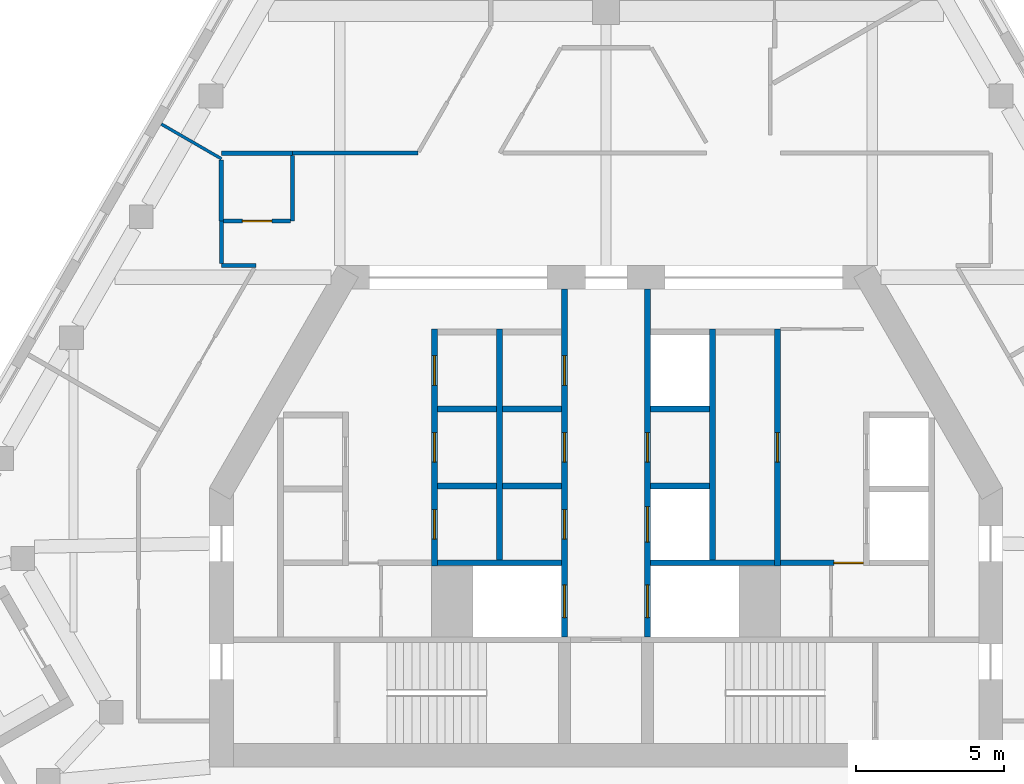
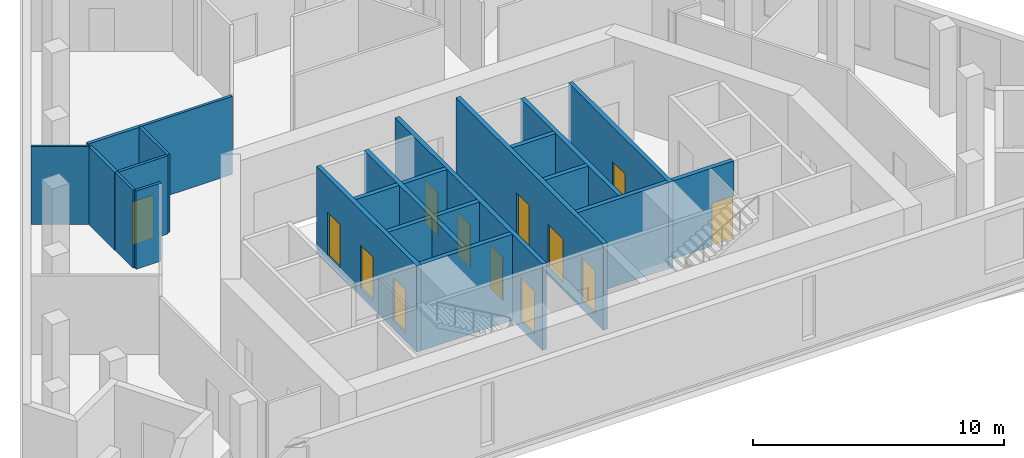
# One storey, part 3 of 8: 23 walls, 13 doors, 13 openings.
"""IFC4 building model written with IfcOpenShell, lengths in metres."""

from ifc_helpers import new_model, si_unit, direction, frame, frame_2d, origin, place, context, subcontext, project, spatial, rectangle, extrude, material, layer, layer_set, type_object, element, fill, save


model = new_model("IFC4")

# Units and contexts
model_context = context("Model", 3, precision=1e-05, world=origin(), true_north=direction((0.0, 1.0)))
body_context = subcontext(model_context, "Body", "Model", "MODEL_VIEW")
ifc_project = project(units=[si_unit("LENGTHUNIT", "METRE"), si_unit("AREAUNIT", "SQUARE_METRE"), si_unit("VOLUMEUNIT", "CUBIC_METRE"), si_unit("PLANEANGLEUNIT", "RADIAN"), si_unit("MASSUNIT", "GRAM", prefix="KILO")], contexts=[model_context])

# Site, building, storey
site_placement = place(None, origin())
site = spatial("IfcSite", under=ifc_project, at=site_placement, CompositionType="ELEMENT")
building_placement = place(site_placement, origin())
building = spatial("IfcBuilding", under=site, at=building_placement, Name="Fogline Exchange Tower", CompositionType="ELEMENT")
storey_placement = place(building_placement, frame((0.0, 0.0, 326.699951171875)))
storey = spatial("IfcBuildingStorey", under=building, at=storey_placement, Name="L74", CompositionType="ELEMENT", Elevation=326.699951171875)

# Walls
ifc_material_1 = material(Name="Concrete C40", Category="concrete")
ifc_layer_1 = layer(ifc_material_1, 0.199951171875)
ifc_layer_set_1 = layer_set([ifc_layer_1], Name="CW20")
wall_type_1 = type_object("IfcWallType", Name="CW20", PredefinedType="SOLIDWALL", material=ifc_layer_set_1)
for number, where, z_axis, x_axis, name in (
    (1, (-5.699951171875, 10.949951171875, 0.0), (0.0, 0.0, 1.0), (1.0, 0.0, 0.0), "Service room wall"),
    (2, (-5.699951171875, 13.550048828125, 0.0), (0.0, 0.0, 1.0), (1.0, 0.0, 0.0), "Service room wall"),
    (3, (-3.5, 10.949951171875, 0.0), (0.0, 0.0, 1.0), (1.0, 0.0, 0.0), "Service room wall"),
    (4, (-3.5, 13.550048828125, 0.0), (0.0, 0.0, 1.0), (1.0, 0.0, 0.0), "Service room wall"),
):
    element("IfcWall", number, at=place(storey_placement, frame(where, z_axis=z_axis, x_axis=x_axis)), inside=storey, type_object=wall_type_1, Name=name, PredefinedType="SOLIDWALL", context=body_context, shape_type="SweptSolid", body=[
        extrude(rectangle(XDim=2.0, YDim=0.199951171875, at=frame_2d((1.0, 0.0))), origin(), (0.0, 0.0, 1.0), 3.800048828125),
    ])

# Wall, opening, door
wall_1_placement = place(storey_placement, frame((5.89990234375, 8.35009765625, 0.0), z_axis=(0.0, 0.0, 1.0), x_axis=(1.0, 0.0, 0.0)))
wall_1 = element("IfcWall", 5, at=wall_1_placement, inside=storey, type_object=wall_type_1, Name="WC wall", PredefinedType="SOLIDWALL", context=body_context, shape_type="SweptSolid", body=[
    extrude(rectangle(XDim=2.800048828125, YDim=0.199951171875, at=frame_2d((1.39990234375, 0.0))), origin(), (0.0, 0.0, 1.0), 3.800048828125),
])
opening_1_placement = place(wall_1_placement, frame((1.800048828125, 0.0, 0.0)))
opening_1 = element("IfcOpeningElement", 6, at=opening_1_placement, cuts=wall_1, Name="Opening T23-C018", PredefinedType="OPENING", context=body_context, shape_type="SweptSolid", body=[
    extrude(rectangle(XDim=1.0, YDim=2.10009765625, at=frame_2d((0.5, 1.050048828125))), frame((0.0, 0.10986328125, 0.0), z_axis=(0.0, -1.0, 0.0), x_axis=(1.0, 0.0, 0.0)), (0.0, 0.0, 1.0), 0.219970703125),
])
ifc_material_2 = material(Name="Steel and timber fire door", Category="steel")
door_type_1 = type_object("IfcDoorType", Name="D-WC1", OperationType="SINGLE_SWING_LEFT", PredefinedType="DOOR", material=ifc_material_2)
door_1_placement = place(opening_1_placement, frame((1.0, 0.0, 0.0), z_axis=(0.0, 0.0, 1.0), x_axis=(-1.0, 0.0, 0.0)))
door_1 = element("IfcDoor", 7, at=door_1_placement, inside=storey, type_object=door_type_1, Name="Door to Women's WC", OperationType="SINGLE_SWING_LEFT", OverallHeight=2.10009765625, OverallWidth=1.0, PredefinedType="DOOR", context=body_context, shape_type="SweptSolid", body=[
    extrude(rectangle(XDim=1.0, YDim=2.10009765625, at=frame_2d((0.5, 1.050048828125))), frame((0.0, 0.02490234375, 0.0), z_axis=(0.0, -1.0, 0.0), x_axis=(1.0, 0.0, 0.0)), (0.0, 0.0, 1.0), 0.050048828125),
])
fill(opening_1, door_1)

# Wall, openings, doors
ifc_layer_2 = layer(ifc_material_1, 0.199951171875)
ifc_layer_set_2 = layer_set([ifc_layer_2], Name="CW20S")
wall_type_2 = type_object("IfcWallType", Name="CW20S", PredefinedType="SOLIDWALL", material=ifc_layer_set_2)
wall_2_placement = place(storey_placement, frame((-5.800048828125, 8.25, -0.39990234375), z_axis=(0.0, 0.0, 1.0), x_axis=(0.0, 1.0, 0.0)))
wall_2 = element("IfcWall", 8, at=wall_2_placement, inside=storey, type_object=wall_type_2, Name="Lift shaft wall", PredefinedType="SOLIDWALL", context=body_context, shape_type="SweptSolid", body=[
    extrude(rectangle(XDim=8.0, YDim=0.199951171875, at=frame_2d((4.0, 0.0))), origin(), (0.0, 0.0, 1.0), 4.199951171875),
])
opening_2_placement = place(wall_2_placement, frame((0.89990234375, 0.0, 0.39990234375)))
opening_2 = element("IfcOpeningElement", 9, at=opening_2_placement, cuts=wall_2, Name="Opening T23-C003", PredefinedType="OPENING", context=body_context, shape_type="SweptSolid", body=[
    extrude(rectangle(XDim=1.0, YDim=2.10009765625, at=frame_2d((0.5, 1.050048828125))), frame((0.0, 0.10986328125, 0.0), z_axis=(0.0, -1.0, 0.0), x_axis=(1.0, 0.0, 0.0)), (0.0, 0.0, 1.0), 0.219970703125),
])
opening_3_placement = place(wall_2_placement, frame((3.5, 0.0, 0.39990234375)))
opening_3 = element("IfcOpeningElement", 10, at=opening_3_placement, cuts=wall_2, Name="Opening T23-C004", PredefinedType="OPENING", context=body_context, shape_type="SweptSolid", body=[
    extrude(rectangle(XDim=1.0, YDim=2.10009765625, at=frame_2d((0.5, 1.050048828125))), frame((0.0, 0.10986328125, 0.0), z_axis=(0.0, -1.0, 0.0), x_axis=(1.0, 0.0, 0.0)), (0.0, 0.0, 1.0), 0.219970703125),
])
opening_4_placement = place(wall_2_placement, frame((6.10009765625, 0.0, 0.39990234375)))
opening_4 = element("IfcOpeningElement", 11, at=opening_4_placement, cuts=wall_2, Name="Opening T23-C005", PredefinedType="OPENING", context=body_context, shape_type="SweptSolid", body=[
    extrude(rectangle(XDim=1.0, YDim=2.10009765625, at=frame_2d((0.5, 1.050048828125))), frame((0.0, 0.10986328125, 0.0), z_axis=(0.0, -1.0, 0.0), x_axis=(1.0, 0.0, 0.0)), (0.0, 0.0, 1.0), 0.219970703125),
])
door_type_2 = type_object("IfcDoorType", Name="D-RM1", OperationType="SINGLE_SWING_LEFT", PredefinedType="DOOR", material=ifc_material_2)
door_2_placement = place(opening_2_placement, frame((1.0, 0.0, 0.0), z_axis=(0.0, 0.0, 1.0), x_axis=(-1.0, 0.0, 0.0)))
door_2 = element("IfcDoor", 12, at=door_2_placement, inside=storey, type_object=door_type_2, Name="Door to Cable Store", OperationType="SINGLE_SWING_LEFT", OverallHeight=2.10009765625, OverallWidth=1.0, PredefinedType="DOOR", context=body_context, shape_type="SweptSolid", body=[
    extrude(rectangle(XDim=1.0, YDim=2.10009765625, at=frame_2d((0.5, 1.050048828125))), frame((0.0, 0.02490234375, 0.0), z_axis=(0.0, -1.0, 0.0), x_axis=(1.0, 0.0, 0.0)), (0.0, 0.0, 1.0), 0.050048828125),
])
fill(opening_2, door_2)
door_3_placement = place(opening_3_placement, frame((1.0, 0.0, 0.0), z_axis=(0.0, 0.0, 1.0), x_axis=(-1.0, 0.0, 0.0)))
door_3 = element("IfcDoor", 13, at=door_3_placement, inside=storey, type_object=door_type_2, Name="Door to Server Room", OperationType="SINGLE_SWING_RIGHT", OverallHeight=2.10009765625, OverallWidth=1.0, PredefinedType="DOOR", context=body_context, shape_type="SweptSolid", body=[
    extrude(rectangle(XDim=1.0, YDim=2.10009765625, at=frame_2d((0.5, 1.050048828125))), frame((0.0, 0.02490234375, 0.0), z_axis=(0.0, -1.0, 0.0), x_axis=(1.0, 0.0, 0.0)), (0.0, 0.0, 1.0), 0.050048828125),
])
fill(opening_3, door_3)
door_4_placement = place(opening_4_placement, frame((1.0, 0.0, 0.0), z_axis=(0.0, 0.0, 1.0), x_axis=(-1.0, 0.0, 0.0)))
door_4 = element("IfcDoor", 14, at=door_4_placement, inside=storey, type_object=door_type_2, Name="Door to Archive Store", OperationType="SINGLE_SWING_RIGHT", OverallHeight=2.10009765625, OverallWidth=1.0, PredefinedType="DOOR", context=body_context, shape_type="SweptSolid", body=[
    extrude(rectangle(XDim=1.0, YDim=2.10009765625, at=frame_2d((0.5, 1.050048828125))), frame((0.0, 0.02490234375, 0.0), z_axis=(0.0, -1.0, 0.0), x_axis=(1.0, 0.0, 0.0)), (0.0, 0.0, 1.0), 0.050048828125),
])
fill(opening_4, door_4)

# Wall, opening, door
wall_3_placement = place(storey_placement, frame((5.800048828125, 8.25, -0.39990234375), z_axis=(0.0, 0.0, 1.0), x_axis=(0.0, 1.0, 0.0)))
wall_3 = element("IfcWall", 15, at=wall_3_placement, inside=storey, type_object=wall_type_2, Name="Lift shaft wall", PredefinedType="SOLIDWALL", context=body_context, shape_type="SweptSolid", body=[
    extrude(rectangle(XDim=8.0, YDim=0.199951171875, at=frame_2d((4.0, 0.0))), origin(), (0.0, 0.0, 1.0), 4.199951171875),
])
opening_5_placement = place(wall_3_placement, frame((3.5, 0.0, 0.39990234375)))
opening_5 = element("IfcOpeningElement", 16, at=opening_5_placement, cuts=wall_3, Name="Opening T23-C009", PredefinedType="OPENING", context=body_context, shape_type="SweptSolid", body=[
    extrude(rectangle(XDim=1.0, YDim=2.10009765625, at=frame_2d((0.5, 1.050048828125))), frame((0.0, 0.10986328125, 0.0), z_axis=(0.0, -1.0, 0.0), x_axis=(1.0, 0.0, 0.0)), (0.0, 0.0, 1.0), 0.219970703125),
])
door_5_placement = place(opening_5_placement, origin())
door_5 = element("IfcDoor", 17, at=door_5_placement, inside=storey, type_object=door_type_2, Name="Door to Pantry", OperationType="SINGLE_SWING_LEFT", OverallHeight=2.10009765625, OverallWidth=1.0, PredefinedType="DOOR", context=body_context, shape_type="SweptSolid", body=[
    extrude(rectangle(XDim=1.0, YDim=2.10009765625, at=frame_2d((0.5, 1.050048828125))), frame((0.0, 0.02490234375, 0.0), z_axis=(0.0, -1.0, 0.0), x_axis=(1.0, 0.0, 0.0)), (0.0, 0.0, 1.0), 0.050048828125),
])
fill(opening_5, door_5)

# Walls
for number, where, z_axis, x_axis, name in (
    (18, (-3.60009765625, 8.449951171875, -0.39990234375), (0.0, 0.0, 1.0), (0.0, 1.0, 0.0), "Lift shaft wall"),
    (19, (3.60009765625, 8.449951171875, -0.39990234375), (0.0, 0.0, 1.0), (0.0, 1.0, 0.0), "Lift shaft wall"),
):
    element("IfcWall", number, at=place(storey_placement, frame(where, z_axis=z_axis, x_axis=x_axis)), inside=storey, type_object=wall_type_2, Name=name, PredefinedType="SOLIDWALL", context=body_context, shape_type="SweptSolid", body=[
        extrude(rectangle(XDim=7.800048828125, YDim=0.199951171875, at=frame_2d((3.89990234375, 0.0))), origin(), (0.0, 0.0, 1.0), 4.199951171875),
    ])

# Wall, openings, doors
wall_4_placement = place(storey_placement, frame((-1.39990234375, 5.85009765625, -0.39990234375), z_axis=(0.0, 0.0, 1.0), x_axis=(0.0, 1.0, 0.0)))
wall_4 = element("IfcWall", 20, at=wall_4_placement, inside=storey, type_object=wall_type_2, Name="Lift lobby wall", PredefinedType="SOLIDWALL", context=body_context, shape_type="SweptSolid", body=[
    extrude(rectangle(XDim=11.75, YDim=0.199951171875, at=frame_2d((5.875, 0.0))), origin(), (0.0, 0.0, 1.0), 4.199951171875),
])
opening_6_placement = place(wall_4_placement, frame((0.64990234375, 0.0, 0.39990234375)))
opening_6 = element("IfcOpeningElement", 21, at=opening_6_placement, cuts=wall_4, Name="Opening T23-LD01", PredefinedType="OPENING", context=body_context, shape_type="SweptSolid", body=[
    extrude(rectangle(XDim=1.10009765625, YDim=2.10009765625, at=frame_2d((0.550048828125, 1.050048828125))), frame((0.0, 0.10986328125, 0.0), z_axis=(0.0, -1.0, 0.0), x_axis=(1.0, 0.0, 0.0)), (0.0, 0.0, 1.0), 0.219970703125),
])
opening_7_placement = place(wall_4_placement, frame((3.300048828125, 0.0, 0.39990234375)))
opening_7 = element("IfcOpeningElement", 22, at=opening_7_placement, cuts=wall_4, Name="Opening T23-C006", PredefinedType="OPENING", context=body_context, shape_type="SweptSolid", body=[
    extrude(rectangle(XDim=1.0, YDim=2.10009765625, at=frame_2d((0.5, 1.050048828125))), frame((0.0, 0.10986328125, 0.0), z_axis=(0.0, -1.0, 0.0), x_axis=(1.0, 0.0, 0.0)), (0.0, 0.0, 1.0), 0.219970703125),
])
opening_8_placement = place(wall_4_placement, frame((5.89990234375, 0.0, 0.39990234375)))
opening_8 = element("IfcOpeningElement", 23, at=opening_8_placement, cuts=wall_4, Name="Opening T23-C007", PredefinedType="OPENING", context=body_context, shape_type="SweptSolid", body=[
    extrude(rectangle(XDim=1.0, YDim=2.10009765625, at=frame_2d((0.5, 1.050048828125))), frame((0.0, 0.10986328125, 0.0), z_axis=(0.0, -1.0, 0.0), x_axis=(1.0, 0.0, 0.0)), (0.0, 0.0, 1.0), 0.219970703125),
])
opening_9_placement = place(wall_4_placement, frame((8.5, 0.0, 0.39990234375)))
opening_9 = element("IfcOpeningElement", 24, at=opening_9_placement, cuts=wall_4, Name="Opening T23-C008", PredefinedType="OPENING", context=body_context, shape_type="SweptSolid", body=[
    extrude(rectangle(XDim=1.0, YDim=2.10009765625, at=frame_2d((0.5, 1.050048828125))), frame((0.0, 0.10986328125, 0.0), z_axis=(0.0, -1.0, 0.0), x_axis=(1.0, 0.0, 0.0)), (0.0, 0.0, 1.0), 0.219970703125),
])
door_6_placement = place(opening_7_placement, origin())
door_6 = element("IfcDoor", 25, at=door_6_placement, inside=storey, type_object=door_type_2, Name="Door to Library Store", OperationType="SINGLE_SWING_LEFT", OverallHeight=2.10009765625, OverallWidth=1.0, PredefinedType="DOOR", context=body_context, shape_type="SweptSolid", body=[
    extrude(rectangle(XDim=1.0, YDim=2.10009765625, at=frame_2d((0.5, 1.050048828125))), frame((0.0, 0.02490234375, 0.0), z_axis=(0.0, -1.0, 0.0), x_axis=(1.0, 0.0, 0.0)), (0.0, 0.0, 1.0), 0.050048828125),
])
fill(opening_7, door_6)
door_7_placement = place(opening_8_placement, origin())
door_7 = element("IfcDoor", 26, at=door_7_placement, inside=storey, type_object=door_type_2, Name="Door to Stationery Store", OperationType="SINGLE_SWING_LEFT", OverallHeight=2.10009765625, OverallWidth=1.0, PredefinedType="DOOR", context=body_context, shape_type="SweptSolid", body=[
    extrude(rectangle(XDim=1.0, YDim=2.10009765625, at=frame_2d((0.5, 1.050048828125))), frame((0.0, 0.02490234375, 0.0), z_axis=(0.0, -1.0, 0.0), x_axis=(1.0, 0.0, 0.0)), (0.0, 0.0, 1.0), 0.050048828125),
])
fill(opening_8, door_7)
door_8_placement = place(opening_9_placement, origin())
door_8 = element("IfcDoor", 27, at=door_8_placement, inside=storey, type_object=door_type_2, Name="Door to Records Store", OperationType="SINGLE_SWING_LEFT", OverallHeight=2.10009765625, OverallWidth=1.0, PredefinedType="DOOR", context=body_context, shape_type="SweptSolid", body=[
    extrude(rectangle(XDim=1.0, YDim=2.10009765625, at=frame_2d((0.5, 1.050048828125))), frame((0.0, 0.02490234375, 0.0), z_axis=(0.0, -1.0, 0.0), x_axis=(1.0, 0.0, 0.0)), (0.0, 0.0, 1.0), 0.050048828125),
])
fill(opening_9, door_8)
door_type_3 = type_object("IfcDoorType", Name="LD2", OperationType="SLIDING_TO_RIGHT", PredefinedType="DOOR", material=ifc_material_2)
door_9_placement = place(opening_6_placement, origin())
door_9 = element("IfcDoor", 28, at=door_9_placement, inside=storey, type_object=door_type_3, Name="Landing door FF1", OperationType="SLIDING_TO_RIGHT", OverallHeight=2.10009765625, OverallWidth=1.10009765625, PredefinedType="DOOR", context=body_context, shape_type="SweptSolid", body=[
    extrude(rectangle(XDim=1.10009765625, YDim=2.10009765625, at=frame_2d((0.550048828125, 1.050048828125))), frame((0.0, 0.02490234375, 0.0), z_axis=(0.0, -1.0, 0.0), x_axis=(1.0, 0.0, 0.0)), (0.0, 0.0, 1.0), 0.050048828125),
])
fill(opening_6, door_9)

wall_5_placement = place(storey_placement, frame((1.39990234375, 5.85009765625, -0.39990234375), z_axis=(0.0, 0.0, 1.0), x_axis=(0.0, 1.0, 0.0)))
wall_5 = element("IfcWall", 29, at=wall_5_placement, inside=storey, type_object=wall_type_2, Name="Lift lobby wall", PredefinedType="SOLIDWALL", context=body_context, shape_type="SweptSolid", body=[
    extrude(rectangle(XDim=11.75, YDim=0.199951171875, at=frame_2d((5.875, 0.0))), origin(), (0.0, 0.0, 1.0), 4.199951171875),
])
opening_10_placement = place(wall_5_placement, frame((3.199951171875, 0.0, 0.39990234375)))
opening_10 = element("IfcOpeningElement", 30, at=opening_10_placement, cuts=wall_5, Name="Opening T23-LD04", PredefinedType="OPENING", context=body_context, shape_type="SweptSolid", body=[
    extrude(rectangle(XDim=1.199951171875, YDim=2.10009765625, at=frame_2d((0.60009765625, 1.050048828125))), frame((0.0, 0.10986328125, 0.0), z_axis=(0.0, -1.0, 0.0), x_axis=(1.0, 0.0, 0.0)), (0.0, 0.0, 1.0), 0.219970703125),
])
opening_11_placement = place(wall_5_placement, frame((0.64990234375, 0.0, 0.39990234375)))
opening_11 = element("IfcOpeningElement", 31, at=opening_11_placement, cuts=wall_5, Name="Opening T23-LD05", PredefinedType="OPENING", context=body_context, shape_type="SweptSolid", body=[
    extrude(rectangle(XDim=1.10009765625, YDim=2.10009765625, at=frame_2d((0.550048828125, 1.050048828125))), frame((0.0, 0.10986328125, 0.0), z_axis=(0.0, -1.0, 0.0), x_axis=(1.0, 0.0, 0.0)), (0.0, 0.0, 1.0), 0.219970703125),
])
opening_12_placement = place(wall_5_placement, frame((5.89990234375, 0.0, 0.39990234375)))
opening_12 = element("IfcOpeningElement", 32, at=opening_12_placement, cuts=wall_5, Name="Opening T23-C010", PredefinedType="OPENING", context=body_context, shape_type="SweptSolid", body=[
    extrude(rectangle(XDim=1.0, YDim=2.10009765625, at=frame_2d((0.5, 1.050048828125))), frame((0.0, 0.10986328125, 0.0), z_axis=(0.0, -1.0, 0.0), x_axis=(1.0, 0.0, 0.0)), (0.0, 0.0, 1.0), 0.219970703125),
])
door_10_placement = place(opening_12_placement, frame((1.0, 0.0, 0.0), z_axis=(0.0, 0.0, 1.0), x_axis=(-1.0, 0.0, 0.0)))
door_10 = element("IfcDoor", 33, at=door_10_placement, inside=storey, type_object=door_type_2, Name="Door to Archive Store", OperationType="SINGLE_SWING_RIGHT", OverallHeight=2.10009765625, OverallWidth=1.0, PredefinedType="DOOR", context=body_context, shape_type="SweptSolid", body=[
    extrude(rectangle(XDim=1.0, YDim=2.10009765625, at=frame_2d((0.5, 1.050048828125))), frame((0.0, 0.02490234375, 0.0), z_axis=(0.0, -1.0, 0.0), x_axis=(1.0, 0.0, 0.0)), (0.0, 0.0, 1.0), 0.050048828125),
])
fill(opening_12, door_10)
door_type_4 = type_object("IfcDoorType", Name="LD1", OperationType="SLIDING_TO_LEFT", PredefinedType="DOOR", material=ifc_material_2)
door_11_placement = place(opening_10_placement, origin())
door_11 = element("IfcDoor", 34, at=door_11_placement, inside=storey, type_object=door_type_4, Name="Landing door HR3", OperationType="SLIDING_TO_LEFT", OverallHeight=2.10009765625, OverallWidth=1.199951171875, PredefinedType="DOOR", context=body_context, shape_type="SweptSolid", body=[
    extrude(rectangle(XDim=1.199951171875, YDim=2.10009765625, at=frame_2d((0.60009765625, 1.050048828125))), frame((0.0, 0.02490234375, 0.0), z_axis=(0.0, -1.0, 0.0), x_axis=(1.0, 0.0, 0.0)), (0.0, 0.0, 1.0), 0.050048828125),
])
fill(opening_10, door_11)
door_12_placement = place(opening_11_placement, origin())
door_12 = element("IfcDoor", 35, at=door_12_placement, inside=storey, type_object=door_type_3, Name="Landing door FF2", OperationType="SLIDING_TO_RIGHT", OverallHeight=2.10009765625, OverallWidth=1.10009765625, PredefinedType="DOOR", context=body_context, shape_type="SweptSolid", body=[
    extrude(rectangle(XDim=1.10009765625, YDim=2.10009765625, at=frame_2d((0.550048828125, 1.050048828125))), frame((0.0, 0.02490234375, 0.0), z_axis=(0.0, -1.0, 0.0), x_axis=(1.0, 0.0, 0.0)), (0.0, 0.0, 1.0), 0.050048828125),
])
fill(opening_11, door_12)

# Walls
for number, where, z_axis, x_axis, name in (
    (36, (-5.699951171875, 8.35009765625, -0.39990234375), (0.0, 0.0, 1.0), (1.0, 0.0, 0.0), "Lift shaft wall"),
    (37, (1.5, 8.35009765625, -0.39990234375), (0.0, 0.0, 1.0), (1.0, 0.0, 0.0), "Lift shaft wall"),
):
    element("IfcWall", number, at=place(storey_placement, frame(where, z_axis=z_axis, x_axis=x_axis)), inside=storey, type_object=wall_type_2, Name=name, PredefinedType="SOLIDWALL", context=body_context, shape_type="SweptSolid", body=[
        extrude(rectangle(XDim=4.199951171875, YDim=0.199951171875, at=frame_2d((2.10009765625, 0.0))), origin(), (0.0, 0.0, 1.0), 4.199951171875),
    ])
for number, where, z_axis, x_axis, name in (
    (38, (1.5, 10.949951171875, -0.39990234375), (0.0, 0.0, 1.0), (1.0, 0.0, 0.0), "Lift shaft wall"),
    (39, (1.5, 13.550048828125, -0.39990234375), (0.0, 0.0, 1.0), (1.0, 0.0, 0.0), "Lift shaft wall"),
):
    element("IfcWall", number, at=place(storey_placement, frame(where, z_axis=z_axis, x_axis=x_axis)), inside=storey, type_object=wall_type_2, Name=name, PredefinedType="SOLIDWALL", context=body_context, shape_type="SweptSolid", body=[
        extrude(rectangle(XDim=2.0, YDim=0.199951171875, at=frame_2d((1.0, 0.0))), origin(), (0.0, 0.0, 1.0), 4.199951171875),
    ])
ifc_material_3 = material(Name="Plasterboard partition, 2 layers each side on steel studs", Category="steel")
ifc_layer_3 = layer(ifc_material_3, 0.10009765625)
ifc_layer_set_3 = layer_set([ifc_layer_3], Name="PW1")
wall_type_3 = type_object("IfcWallType", Name="PW1", PredefinedType="PARTITIONING", material=ifc_layer_set_3)
wall_6_placement = place(storey_placement, frame((-13.0, 22.005615234375, 0.0), z_axis=(0.0, 0.0, 1.0), x_axis=(-0.866000222833, 0.500043612151, 0.0)))
element("IfcWall", 40, at=wall_6_placement, inside=storey, type_object=wall_type_3, Name="wall-L74-W034", PredefinedType="PARTITIONING", context=body_context, shape_type="SweptSolid", body=[
    extrude(rectangle(XDim=2.346923828125, YDim=0.10009765625, at=frame_2d((1.17333984375, 0.0))), origin(), (0.0, 0.0, 1.0), 3.800048828125),
])
ifc_material_4 = material(Name="Plasterboard corridor partition with mineral wool, 2 layers each side")
ifc_layer_4 = layer(ifc_material_4, 0.125)
ifc_layer_set_4 = layer_set([ifc_layer_4], Name="PW2")
wall_type_4 = type_object("IfcWallType", Name="PW2", PredefinedType="PARTITIONING", material=ifc_layer_set_4)
wall_7_placement = place(storey_placement, frame((-10.60009765625, 22.199951171875, 0.0), z_axis=(0.0, 0.0, 1.0), x_axis=(1.0, 0.0, 0.0)))
element("IfcWall", 41, at=wall_7_placement, inside=storey, type_object=wall_type_4, Name="wall-L74-W009", PredefinedType="PARTITIONING", context=body_context, shape_type="SweptSolid", body=[
    extrude(rectangle(XDim=4.239990234375, YDim=0.125, at=frame_2d((2.1201171875, 0.0))), origin(), (0.0, 0.0, 1.0), 3.800048828125),
])

# Wall, opening, door
wall_8_placement = place(storey_placement, frame((-12.925048828125, 19.89990234375, 0.0), z_axis=(0.0, 0.0, 1.0), x_axis=(1.0, 0.0, 0.0)))
wall_8 = element("IfcWall", 42, at=wall_8_placement, inside=storey, type_object=wall_type_4, Name="wall-L74-W010", PredefinedType="PARTITIONING", context=body_context, shape_type="SweptSolid", body=[
    extrude(rectangle(XDim=2.262451171875, YDim=0.125, at=frame_2d((1.13134765625, 0.0))), origin(), (0.0, 0.0, 1.0), 3.800048828125),
])
opening_13_placement = place(wall_8_placement, frame((0.63134765625, 0.0, 0.0)))
opening_13 = element("IfcOpeningElement", 43, at=opening_13_placement, cuts=wall_8, Name="Opening T23-D003", PredefinedType="OPENING", context=body_context, shape_type="SweptSolid", body=[
    extrude(rectangle(XDim=1.0, YDim=2.10009765625, at=frame_2d((0.5, 1.050048828125))), frame((0.0, 0.072509765625, 0.0), z_axis=(0.0, -1.0, 0.0), x_axis=(1.0, 0.0, 0.0)), (0.0, 0.0, 1.0), 0.14501953125),
])
ifc_material_5 = material(Name="Fire-rated timber door leaf with steel frame", Category="steel")
door_type_5 = type_object("IfcDoorType", Name="D3", OperationType="SINGLE_SWING_LEFT", PredefinedType="DOOR", material=ifc_material_5)
door_13_placement = place(opening_13_placement, origin())
door_13 = element("IfcDoor", 44, at=door_13_placement, inside=storey, type_object=door_type_5, Name="door-L74-D003", OperationType="SINGLE_SWING_LEFT", OverallHeight=2.10009765625, OverallWidth=1.0, PredefinedType="DOOR", context=body_context, shape_type="SweptSolid", body=[
    extrude(rectangle(XDim=1.0, YDim=2.10009765625, at=frame_2d((0.5, 1.050048828125))), frame((0.0, 0.02490234375, 0.0), z_axis=(0.0, -1.0, 0.0), x_axis=(1.0, 0.0, 0.0)), (0.0, 0.0, 1.0), 0.050048828125),
])
fill(opening_13, door_13)

# Walls
wall_9_placement = place(storey_placement, frame((-10.60009765625, 19.89990234375, 0.0), z_axis=(0.0, 0.0, 1.0), x_axis=(0.0, 1.0, 0.0)))
element("IfcWall", 45, at=wall_9_placement, inside=storey, type_object=wall_type_4, Name="wall-L74-W011", PredefinedType="PARTITIONING", context=body_context, shape_type="SweptSolid", body=[
    extrude(rectangle(XDim=2.224609375, YDim=0.125, at=frame_2d((1.1123046875, 0.0))), origin(), (0.0, 0.0, 1.0), 3.800048828125),
])
wall_10_placement = place(storey_placement, frame((-11.83642578125, 18.39990234375, 0.0), z_axis=(0.0, 0.0, 1.0), x_axis=(-1.0, 0.0, 0.0)))
element("IfcWall", 46, at=wall_10_placement, inside=storey, type_object=wall_type_4, Name="wall-L74-W012", PredefinedType="PARTITIONING", context=body_context, shape_type="SweptSolid", body=[
    extrude(rectangle(XDim=1.16357421875, YDim=0.125, at=frame_2d((0.581787109375, 0.0))), origin(), (0.0, 0.0, 1.0), 3.800048828125),
])
wall_11_placement = place(storey_placement, frame((-13.0, 18.46240234375, 0.0), z_axis=(0.0, 0.0, 1.0), x_axis=(0.0, 1.0, 0.0)))
element("IfcWall", 47, at=wall_11_placement, inside=storey, type_object=wall_type_4, Name="wall-L74-W013", PredefinedType="PARTITIONING", context=body_context, shape_type="SweptSolid", body=[
    extrude(rectangle(XDim=1.4375, YDim=0.125, at=frame_2d((0.71875, 0.0))), origin(), (0.0, 0.0, 1.0), 3.800048828125),
])
ifc_material_6 = material(Name="Plasterboard demising partition with mineral wool and acoustic board")
ifc_layer_5 = layer(ifc_material_6, 0.14990234375)
ifc_layer_set_5 = layer_set([ifc_layer_5], Name="PW3")
wall_type_5 = type_object("IfcWallType", Name="PW3", PredefinedType="PARTITIONING", material=ifc_layer_set_5)
wall_12_placement = place(storey_placement, frame((-10.60009765625, 22.199951171875, 0.0), z_axis=(0.0, 0.0, 1.0), x_axis=(-1.0, 0.0, 0.0)))
element("IfcWall", 48, at=wall_12_placement, inside=storey, type_object=wall_type_5, Name="wall-L74-W033", PredefinedType="PARTITIONING", context=body_context, shape_type="SweptSolid", body=[
    extrude(rectangle(XDim=2.39990234375, YDim=0.14990234375, at=frame_2d((1.199951171875, 0.0))), origin(), (0.0, 0.0, 1.0), 3.800048828125),
])
wall_13_placement = place(storey_placement, frame((-13.0, 19.89990234375, 0.0), z_axis=(0.0, 0.0, 1.0), x_axis=(0.0, 1.0, 0.0)))
element("IfcWall", 49, at=wall_13_placement, inside=storey, type_object=wall_type_5, Name="wall-L74-W035", PredefinedType="PARTITIONING", context=body_context, shape_type="SweptSolid", body=[
    extrude(rectangle(XDim=2.062744140625, YDim=0.14990234375, at=frame_2d((1.03125, 0.0))), origin(), (0.0, 0.0, 1.0), 3.800048828125),
])

save(model, "model.ifc")
